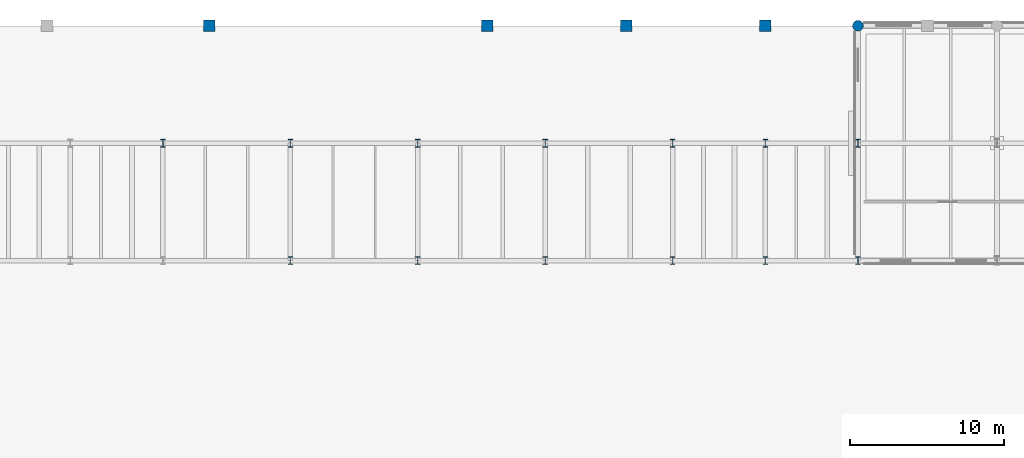
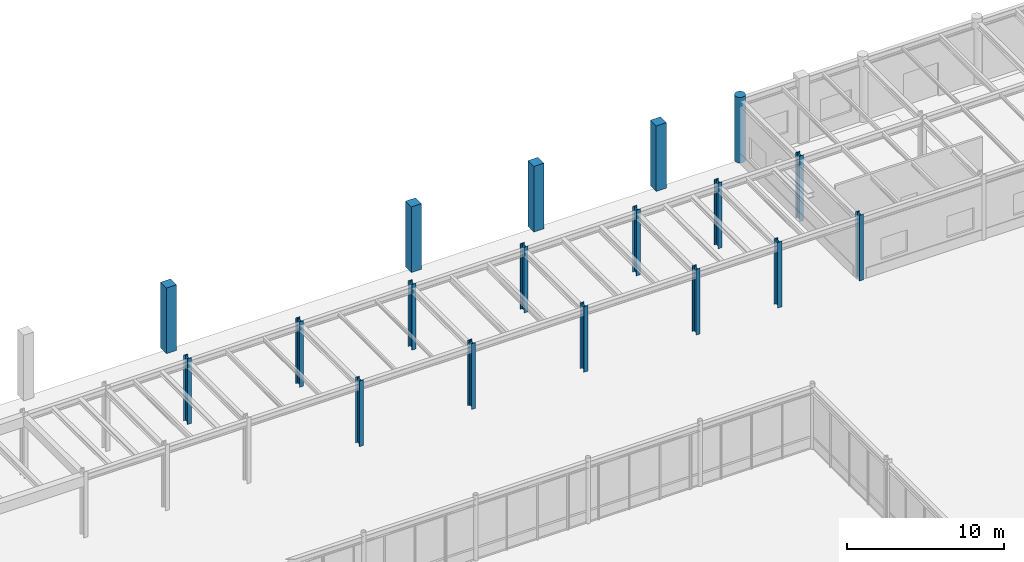
# One storey, part 13 of 64: 18 columns.
"""IFC4 building model written with IfcOpenShell, lengths in metres."""

from ifc_helpers import new_model, si_unit, direction, frame, origin, origin_2d, place, context, subcontext, project, spatial, rectangle, circle, i_section, extrude, material, material_profile, profile_set, type_object, element, save


model = new_model("IFC4")

# Units and contexts
model_context = context("Model", 3, precision=1e-05, world=origin(), true_north=direction((0.0, 1.0)))
body_context = subcontext(model_context, "Body", "Model", "MODEL_VIEW")
ifc_project = project(units=[si_unit("LENGTHUNIT", "METRE"), si_unit("AREAUNIT", "SQUARE_METRE"), si_unit("VOLUMEUNIT", "CUBIC_METRE"), si_unit("PLANEANGLEUNIT", "RADIAN"), si_unit("MASSUNIT", "GRAM", prefix="KILO")], contexts=[model_context])

# Site, building, storey
site_placement = place(None, origin())
site = spatial("IfcSite", under=ifc_project, at=site_placement, CompositionType="ELEMENT")
building_placement = place(site_placement, origin())
building = spatial("IfcBuilding", under=site, at=building_placement, Name="Montealbar Specialist Clinic", CompositionType="ELEMENT")
storey_placement = place(building_placement, origin())
storey = spatial("IfcBuildingStorey", under=building, at=storey_placement, Name="L00", CompositionType="ELEMENT", Elevation=0.0)

# Columns
ifc_material_1 = material(Name="Concrete C35/45", Category="concrete")
ifc_material_profile_1 = material_profile(ifc_material_1, circle(Radius=0.35009765625, at=origin_2d()), Name="RC D700", Category="concrete")
ifc_profile_set_1 = profile_set([ifc_material_profile_1], Name="Concrete C35/45")
column_type_1 = type_object("IfcColumnType", Name="COL-COLONNADE-CYL-EXT", PredefinedType="COLUMN", material=ifc_profile_set_1)
column_placement = place(storey_placement, frame((111.0, 111.0, 0.0), z_axis=(0.0, 0.0, 1.0), x_axis=(1.0, 0.0, 0.0)))
element("IfcColumn", 1, at=column_placement, inside=storey, type_object=column_type_1, Name="Column 15/P L00", PredefinedType="COLUMN", context=body_context, shape_type="SweptSolid", body=[
    extrude(circle(Radius=0.35009765625, at=origin_2d()), origin(), (0.0, 0.0, 1.0), 5.10009765625),
])
ifc_material_2 = material(Name="Steel S355", Category="steel")
ifc_material_profile_2 = material_profile(ifc_material_2, i_section(OverallWidth=0.300048828125, OverallDepth=0.5, WebThickness=0.014404296875, FlangeThickness=0.028076171875, FilletRadius=0.027099609375, at=origin_2d()), Name="HEB 500", Category="steel")
ifc_profile_set_2 = profile_set([ifc_material_profile_2], Name="Steel S355")
column_type_2 = type_object("IfcColumnType", Name="COL-S-L00-STD-EXT", PredefinedType="COLUMN", material=ifc_profile_set_2)
for number, where, z_axis, x_axis, name in (
    (2, (66.0, 103.39990234375, 0.0), (0.0, 0.0, 1.0), (1.0, 0.0, 0.0), "Column 9/N L00"),
    (3, (74.25, 95.800048828125, 0.0), (0.0, 0.0, 1.0), (1.0, 0.0, 0.0), "Column 10/M L00"),
    (4, (74.25, 103.39990234375, 0.0), (0.0, 0.0, 1.0), (1.0, 0.0, 0.0), "Column 10/N L00"),
    (5, (82.5, 95.800048828125, 0.0), (0.0, 0.0, 1.0), (1.0, 0.0, 0.0), "Column 11/M L00"),
    (6, (82.5, 103.39990234375, 0.0), (0.0, 0.0, 1.0), (1.0, 0.0, 0.0), "Column 11/N L00"),
    (7, (90.75, 95.800048828125, 0.0), (0.0, 0.0, 1.0), (1.0, 0.0, 0.0), "Column 12/M L00"),
    (8, (90.75, 103.39990234375, 0.0), (0.0, 0.0, 1.0), (1.0, 0.0, 0.0), "Column 12/N L00"),
    (9, (99.0, 95.800048828125, 0.0), (0.0, 0.0, 1.0), (1.0, 0.0, 0.0), "Column 13/M L00"),
    (10, (99.0, 103.39990234375, 0.0), (0.0, 0.0, 1.0), (1.0, 0.0, 0.0), "Column 13/N L00"),
    (11, (105.0, 95.800048828125, 0.0), (0.0, 0.0, 1.0), (1.0, 0.0, 0.0), "Column 14/M L00"),
    (12, (105.0, 103.39990234375, 0.0), (0.0, 0.0, 1.0), (1.0, 0.0, 0.0), "Column 14/N L00"),
    (13, (111.0, 95.800048828125, 0.0), (0.0, 0.0, 1.0), (1.0, 0.0, 0.0), "Column 15/M L00"),
    (14, (111.0, 103.39990234375, 0.0), (0.0, 0.0, 1.0), (1.0, 0.0, 0.0), "Column 15/N L00"),
):
    element("IfcColumn", number, at=place(storey_placement, frame(where, z_axis=z_axis, x_axis=x_axis)), inside=storey, type_object=column_type_2, Name=name, PredefinedType="COLUMN", context=body_context, shape_type="SweptSolid", body=[
        extrude(i_section(OverallWidth=0.300048828125, OverallDepth=0.5, WebThickness=0.014404296875, FlangeThickness=0.028076171875, FilletRadius=0.027099609375, at=origin_2d()), origin(), (0.0, 0.0, 1.0), 5.10009765625),
    ])
ifc_material_3 = material(Name="Guadarrama granite ashlar", Category="masonry")
ifc_material_profile_3 = material_profile(ifc_material_3, rectangle(XDim=0.75, YDim=0.75, at=origin_2d()), Name="GRANITE PILASTER 750x750", Category="masonry")
ifc_profile_set_3 = profile_set([ifc_material_profile_3], Name="Guadarrama granite ashlar")
column_type_3 = type_object("IfcColumnType", Name="PIL-PM-GIANT-EXT", PredefinedType="PILASTER", material=ifc_profile_set_3)
for number, where, z_axis, x_axis, name in (
    (15, (69.0, 111.0, 0.0), (0.0, 0.0, 1.0), (1.0, 0.0, 0.0), "Column NP6/P L00"),
    (16, (87.0, 111.0, 0.0), (0.0, 0.0, 1.0), (1.0, 0.0, 0.0), "Column NP7/P L00"),
    (17, (96.0, 111.0, 0.0), (0.0, 0.0, 1.0), (1.0, 0.0, 0.0), "Column NP8/P L00"),
    (18, (105.0, 111.0, 0.0), (0.0, 0.0, 1.0), (1.0, 0.0, 0.0), "Column NP9/P L00"),
):
    element("IfcColumn", number, at=place(storey_placement, frame(where, z_axis=z_axis, x_axis=x_axis)), inside=storey, type_object=column_type_3, Name=name, PredefinedType="PILASTER", context=body_context, shape_type="SweptSolid", body=[
        extrude(rectangle(XDim=0.75, YDim=0.75, at=origin_2d()), origin(), (0.0, 0.0, 1.0), 5.10009765625),
    ])

save(model, "model.ifc")
